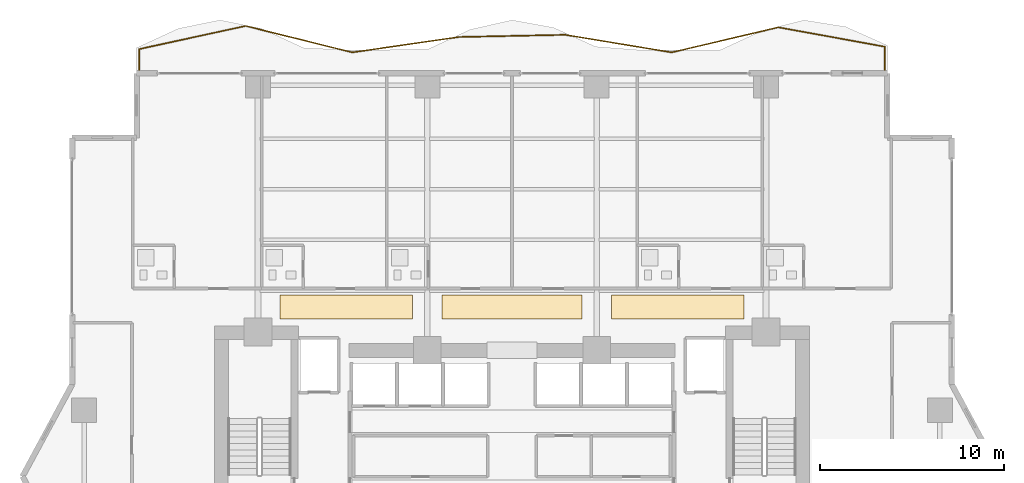
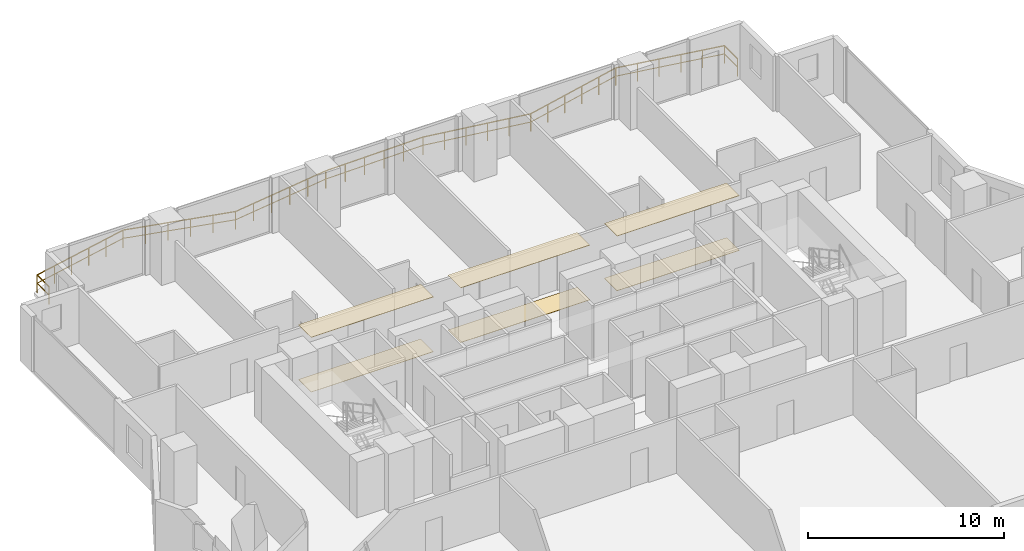
# One storey, part 29 of 30: 6 coverings, 1 railing.
"""IFC4 building model written with IfcOpenShell, lengths in metres."""

from ifc_helpers import new_model, si_unit, direction, frame, origin, origin_2d, place, context, subcontext, project, spatial, polyline, rectangle, outline, extrude, material, layer, layer_set, type_object, element, save


model = new_model("IFC4")

# Units and contexts
model_context = context("Model", 3, precision=1e-05, world=origin(), true_north=direction((0.0, 1.0)))
body_context = subcontext(model_context, "Body", "Model", "MODEL_VIEW")
ifc_project = project(units=[si_unit("LENGTHUNIT", "METRE"), si_unit("AREAUNIT", "SQUARE_METRE"), si_unit("VOLUMEUNIT", "CUBIC_METRE"), si_unit("PLANEANGLEUNIT", "RADIAN"), si_unit("MASSUNIT", "GRAM", prefix="KILO")], contexts=[model_context])

# Site, building, storey
site_placement = place(None, origin())
site = spatial("IfcSite", under=ifc_project, at=site_placement, CompositionType="ELEMENT")
building_placement = place(site_placement, origin())
building = spatial("IfcBuilding", under=site, at=building_placement, Name="Zuhayl Quay Hotel", CompositionType="ELEMENT")
storey_placement = place(building_placement, frame((0.0, 0.0, 135.800048828125)))
storey = spatial("IfcBuildingStorey", under=building, at=storey_placement, Name="L34", CompositionType="ELEMENT", Elevation=135.800048828125)

# Coverings
ifc_material_1 = material(Name="Acoustic Mineral-Fibre Gypsum Board")
ifc_layer_1 = layer(ifc_material_1, 0.02490234375, Name="Acoustic Mineral-Fibre Gypsum Board")
ifc_layer_set_1 = layer_set([ifc_layer_1], Name="Acoustic Mineral-Fibre Gypsum Board")
covering_type_1 = type_object("IfcCoveringType", Name="CV_CEIL_ACOUSTIC", PredefinedType="CEILING", material=ifc_layer_set_1)
covering_1_placement = place(storey_placement, frame((0.0, 0.0, 3.405029296875)))
element("IfcCovering", 1, at=covering_1_placement, inside=storey, type_object=covering_type_1, Name="L34 Guest Corridor Acoustic Ceiling CW", PredefinedType="CEILING", context=body_context, shape_type="SweptSolid", body=[
    extrude(outline(polyline([(-12.60009765625, 15.050048828125), (-5.39990234375, 15.050048828125), (-5.39990234375, 16.35009765625), (-12.60009765625, 16.35009765625), (-12.60009765625, 15.050048828125)])), origin(), (0.0, 0.0, 1.0), 0.02490234375),
])
covering_2_placement = place(storey_placement, frame((0.0, 0.0, 3.405029296875)))
element("IfcCovering", 2, at=covering_2_placement, inside=storey, type_object=covering_type_1, Name="L34 Guest Corridor Acoustic Ceiling CC", PredefinedType="CEILING", context=body_context, shape_type="SweptSolid", body=[
    extrude(outline(polyline([(-3.800048828125, 15.050048828125), (3.800048828125, 15.050048828125), (3.800048828125, 16.35009765625), (-3.800048828125, 16.35009765625), (-3.800048828125, 15.050048828125)])), origin(), (0.0, 0.0, 1.0), 0.02490234375),
])
covering_3_placement = place(storey_placement, frame((0.0, 0.0, 3.405029296875)))
element("IfcCovering", 3, at=covering_3_placement, inside=storey, type_object=covering_type_1, Name="L34 Guest Corridor Acoustic Ceiling CE", PredefinedType="CEILING", context=body_context, shape_type="SweptSolid", body=[
    extrude(outline(polyline([(5.39990234375, 15.050048828125), (12.60009765625, 15.050048828125), (12.60009765625, 16.35009765625), (5.39990234375, 16.35009765625), (5.39990234375, 15.050048828125)])), origin(), (0.0, 0.0, 1.0), 0.02490234375),
])
ifc_material_2 = material(Name="Polished Limestone Terrazzo", Category="masonry")
ifc_layer_2 = layer(ifc_material_2, 0.02001953125, Name="Polished Limestone Terrazzo", Category="masonry")
ifc_layer_set_2 = layer_set([ifc_layer_2], Name="Polished Limestone Terrazzo")
covering_type_2 = type_object("IfcCoveringType", Name="CV_FLOOR_TERRAZZO", PredefinedType="FLOORING", material=ifc_layer_set_2)
covering_4_placement = place(storey_placement, origin())
element("IfcCovering", 4, at=covering_4_placement, inside=storey, type_object=covering_type_2, Name="L34 Guest Corridor Terrazzo Runner CW", PredefinedType="FLOORING", context=body_context, shape_type="SweptSolid", body=[
    extrude(outline(polyline([(-12.60009765625, 15.050048828125), (-5.39990234375, 15.050048828125), (-5.39990234375, 16.35009765625), (-12.60009765625, 16.35009765625), (-12.60009765625, 15.050048828125)])), origin(), (0.0, 0.0, 1.0), 0.02001953125),
])
covering_5_placement = place(storey_placement, origin())
element("IfcCovering", 5, at=covering_5_placement, inside=storey, type_object=covering_type_2, Name="L34 Guest Corridor Terrazzo Runner CC", PredefinedType="FLOORING", context=body_context, shape_type="SweptSolid", body=[
    extrude(outline(polyline([(-3.800048828125, 15.050048828125), (3.800048828125, 15.050048828125), (3.800048828125, 16.35009765625), (-3.800048828125, 16.35009765625), (-3.800048828125, 15.050048828125)])), origin(), (0.0, 0.0, 1.0), 0.02001953125),
])
covering_6_placement = place(storey_placement, origin())
element("IfcCovering", 6, at=covering_6_placement, inside=storey, type_object=covering_type_2, Name="L34 Guest Corridor Terrazzo Runner CE", PredefinedType="FLOORING", context=body_context, shape_type="SweptSolid", body=[
    extrude(outline(polyline([(5.39990234375, 15.050048828125), (12.60009765625, 15.050048828125), (12.60009765625, 16.35009765625), (5.39990234375, 16.35009765625), (5.39990234375, 15.050048828125)])), origin(), (0.0, 0.0, 1.0), 0.02001953125),
])

# Railing
ifc_material_3 = material(Name="Anodised Aluminium and Laminated Glass", Category="aluminium")
railing_type = type_object("IfcRailingType", Name="RL_EXT_BAL_1100", PredefinedType="BALUSTRADE", material=ifc_material_3)
railing_placement = place(storey_placement, frame((-20.260009765625, 28.52001953125, 0.0)))
element("IfcRailing", 7, at=railing_placement, inside=storey, type_object=railing_type, Name="L34 Balcony and Terrace Guard GR_L34_BAL_N", PredefinedType="BALUSTRADE", context=body_context, shape_type="SweptSolid", body=[
    extrude(rectangle(XDim=0.048095703125, YDim=0.048095703125, at=origin_2d()), frame((0.0, 0.0, 1.09619140625), z_axis=(0.0, 1.0, 0.0), x_axis=(-1.0, 0.0, 0.0)), (0.0, 0.0, 1.0), 1.19775390625),
    extrude(rectangle(XDim=0.0361328125, YDim=0.0361328125, at=origin_2d()), frame((0.0, 0.0, 0.58251953125), z_axis=(0.0, 1.0, 0.0), x_axis=(-1.0, 0.0, 0.0)), (0.0, 0.0, 1.0), 1.19775390625),
    extrude(rectangle(XDim=0.048095703125, YDim=0.048095703125, at=origin_2d()), frame((0.0, 1.19775390625, 1.09619140625), z_axis=(0.977145109324, 0.212573364567, 0.0), x_axis=(-0.212573364567, 0.977145109324, 0.0)), (0.0, 0.0, 1.0), 5.924072265625),
    extrude(rectangle(XDim=0.0361328125, YDim=0.0361328125, at=origin_2d()), frame((0.0, 1.19775390625, 0.58251953125), z_axis=(0.977145109324, 0.212573364567, 0.0), x_axis=(-0.212573364567, 0.977145109324, 0.0)), (0.0, 0.0, 1.0), 5.924072265625),
    extrude(rectangle(XDim=0.048095703125, YDim=0.048095703125, at=origin_2d()), frame((5.78857421875, 2.45703125, 1.09619140625), z_axis=(0.970540889405, -0.240936468791, 0.0), x_axis=(0.240936468791, 0.970540889405, 0.0)), (0.0, 0.0, 1.0), 5.96435546875),
    extrude(rectangle(XDim=0.0361328125, YDim=0.0361328125, at=origin_2d()), frame((5.78857421875, 2.45703125, 0.58251953125), z_axis=(0.970540889405, -0.240936468791, 0.0), x_axis=(0.240936468791, 0.970540889405, 0.0)), (0.0, 0.0, 1.0), 5.96435546875),
    extrude(rectangle(XDim=0.048095703125, YDim=0.048095703125, at=origin_2d()), frame((11.5771484375, 1.02001953125, 1.09619140625), z_axis=(0.989738854419, 0.14288806827, 0.0), x_axis=(-0.14288806827, 0.989738854419, 0.0)), (0.0, 0.0, 1.0), 5.8486328125),
    extrude(rectangle(XDim=0.0361328125, YDim=0.0361328125, at=origin_2d()), frame((11.5771484375, 1.02001953125, 0.58251953125), z_axis=(0.989738854419, 0.14288806827, 0.0), x_axis=(-0.14288806827, 0.989738854419, 0.0)), (0.0, 0.0, 1.0), 5.8486328125),
    extrude(rectangle(XDim=0.048095703125, YDim=0.048095703125, at=origin_2d()), frame((17.36572265625, 1.855712890625, 1.09619140625), z_axis=(0.999789988727, 0.02049337556, 0.0), x_axis=(-0.02049337556, 0.999789988727, 0.0)), (0.0, 0.0, 1.0), 5.789794921875),
    extrude(rectangle(XDim=0.0361328125, YDim=0.0361328125, at=origin_2d()), frame((17.36572265625, 1.855712890625, 0.58251953125), z_axis=(0.999789988727, 0.02049337556, 0.0), x_axis=(-0.02049337556, 0.999789988727, 0.0)), (0.0, 0.0, 1.0), 5.789794921875),
    extrude(rectangle(XDim=0.048095703125, YDim=0.048095703125, at=origin_2d()), frame((23.154296875, 1.974365234375, 1.09619140625), z_axis=(0.986680338517, -0.162671170108, 0.0), x_axis=(0.162671170108, 0.986680338517, 0.0)), (0.0, 0.0, 1.0), 5.86669921875),
    extrude(rectangle(XDim=0.0361328125, YDim=0.0361328125, at=origin_2d()), frame((23.154296875, 1.974365234375, 0.58251953125), z_axis=(0.986680338517, -0.162671170108, 0.0), x_axis=(0.162671170108, 0.986680338517, 0.0)), (0.0, 0.0, 1.0), 5.86669921875),
    extrude(rectangle(XDim=0.048095703125, YDim=0.048095703125, at=origin_2d()), frame((28.94287109375, 1.02001953125, 1.09619140625), z_axis=(0.973378927893, 0.229201794788, 0.0), x_axis=(-0.229201794788, 0.973378927893, 0.0)), (0.0, 0.0, 1.0), 5.94677734375),
    extrude(rectangle(XDim=0.0361328125, YDim=0.0361328125, at=origin_2d()), frame((28.94287109375, 1.02001953125, 0.58251953125), z_axis=(0.973378927893, 0.229201794788, 0.0), x_axis=(-0.229201794788, 0.973378927893, 0.0)), (0.0, 0.0, 1.0), 5.94677734375),
    extrude(rectangle(XDim=0.048095703125, YDim=0.048095703125, at=origin_2d()), frame((34.7314453125, 2.383056640625, 1.09619140625), z_axis=(0.983788815759, -0.179330884087, 0.0), x_axis=(0.179330884087, 0.983788815759, 0.0)), (0.0, 0.0, 1.0), 5.884033203125),
    extrude(rectangle(XDim=0.0361328125, YDim=0.0361328125, at=origin_2d()), frame((34.7314453125, 2.383056640625, 0.58251953125), z_axis=(0.983788815759, -0.179330884087, 0.0), x_axis=(0.179330884087, 0.983788815759, 0.0)), (0.0, 0.0, 1.0), 5.884033203125),
    extrude(rectangle(XDim=0.048095703125, YDim=0.048095703125, at=origin_2d()), frame((40.52001953125, 1.327880859375, 1.09619140625), z_axis=(0.0, -1.0, 0.0), x_axis=(1.0, 0.0, 0.0)), (0.0, 0.0, 1.0), 1.327880859375),
    extrude(rectangle(XDim=0.0361328125, YDim=0.0361328125, at=origin_2d()), frame((40.52001953125, 1.327880859375, 0.58251953125), z_axis=(0.0, -1.0, 0.0), x_axis=(1.0, 0.0, 0.0)), (0.0, 0.0, 1.0), 1.327880859375),
    extrude(rectangle(XDim=0.0419921875, YDim=0.0419921875, at=origin_2d()), origin(), (0.0, 0.0, 1.0), 1.072021484375),
    extrude(rectangle(XDim=0.0419921875, YDim=0.0419921875, at=origin_2d()), frame((0.0, 1.19775390625, 0.0)), (0.0, 0.0, 1.0), 1.072021484375),
    extrude(rectangle(XDim=0.0419921875, YDim=0.0419921875, at=origin_2d()), frame((1.15771484375, 1.44970703125, 0.0)), (0.0, 0.0, 1.0), 1.072021484375),
    extrude(rectangle(XDim=0.0419921875, YDim=0.0419921875, at=origin_2d()), frame((2.3154296875, 1.701416015625, 0.0)), (0.0, 0.0, 1.0), 1.072021484375),
    extrude(rectangle(XDim=0.0419921875, YDim=0.0419921875, at=origin_2d()), frame((3.47314453125, 1.953369140625, 0.0)), (0.0, 0.0, 1.0), 1.072021484375),
    extrude(rectangle(XDim=0.0419921875, YDim=0.0419921875, at=origin_2d()), frame((4.630859375, 2.205078125, 0.0)), (0.0, 0.0, 1.0), 1.072021484375),
    extrude(rectangle(XDim=0.0419921875, YDim=0.0419921875, at=origin_2d()), frame((5.78857421875, 2.45703125, 0.0)), (0.0, 0.0, 1.0), 1.072021484375),
    extrude(rectangle(XDim=0.0419921875, YDim=0.0419921875, at=origin_2d()), frame((6.9462890625, 2.169677734375, 0.0)), (0.0, 0.0, 1.0), 1.072021484375),
    extrude(rectangle(XDim=0.0419921875, YDim=0.0419921875, at=origin_2d()), frame((8.10400390625, 1.88232421875, 0.0)), (0.0, 0.0, 1.0), 1.072021484375),
    extrude(rectangle(XDim=0.0419921875, YDim=0.0419921875, at=origin_2d()), frame((9.26171875, 1.5947265625, 0.0)), (0.0, 0.0, 1.0), 1.072021484375),
    extrude(rectangle(XDim=0.0419921875, YDim=0.0419921875, at=origin_2d()), frame((10.41943359375, 1.307373046875, 0.0)), (0.0, 0.0, 1.0), 1.072021484375),
    extrude(rectangle(XDim=0.0419921875, YDim=0.0419921875, at=origin_2d()), frame((11.5771484375, 1.02001953125, 0.0)), (0.0, 0.0, 1.0), 1.072021484375),
    extrude(rectangle(XDim=0.0419921875, YDim=0.0419921875, at=origin_2d()), frame((12.73486328125, 1.187255859375, 0.0)), (0.0, 0.0, 1.0), 1.072021484375),
    extrude(rectangle(XDim=0.0419921875, YDim=0.0419921875, at=origin_2d()), frame((13.892578125, 1.354248046875, 0.0)), (0.0, 0.0, 1.0), 1.072021484375),
    extrude(rectangle(XDim=0.0419921875, YDim=0.0419921875, at=origin_2d()), frame((15.05029296875, 1.521484375, 0.0)), (0.0, 0.0, 1.0), 1.072021484375),
    extrude(rectangle(XDim=0.0419921875, YDim=0.0419921875, at=origin_2d()), frame((16.2080078125, 1.6884765625, 0.0)), (0.0, 0.0, 1.0), 1.072021484375),
    extrude(rectangle(XDim=0.0419921875, YDim=0.0419921875, at=origin_2d()), frame((17.36572265625, 1.855712890625, 0.0)), (0.0, 0.0, 1.0), 1.072021484375),
    extrude(rectangle(XDim=0.0419921875, YDim=0.0419921875, at=origin_2d()), frame((18.5234375, 1.87939453125, 0.0)), (0.0, 0.0, 1.0), 1.072021484375),
    extrude(rectangle(XDim=0.0419921875, YDim=0.0419921875, at=origin_2d()), frame((19.68115234375, 1.903076171875, 0.0)), (0.0, 0.0, 1.0), 1.072021484375),
    extrude(rectangle(XDim=0.0419921875, YDim=0.0419921875, at=origin_2d()), frame((20.8388671875, 1.927001953125, 0.0)), (0.0, 0.0, 1.0), 1.072021484375),
    extrude(rectangle(XDim=0.0419921875, YDim=0.0419921875, at=origin_2d()), frame((21.99658203125, 1.95068359375, 0.0)), (0.0, 0.0, 1.0), 1.072021484375),
    extrude(rectangle(XDim=0.0419921875, YDim=0.0419921875, at=origin_2d()), frame((23.154296875, 1.974365234375, 0.0)), (0.0, 0.0, 1.0), 1.072021484375),
    extrude(rectangle(XDim=0.0419921875, YDim=0.0419921875, at=origin_2d()), frame((24.31201171875, 1.783447265625, 0.0)), (0.0, 0.0, 1.0), 1.072021484375),
    extrude(rectangle(XDim=0.0419921875, YDim=0.0419921875, at=origin_2d()), frame((25.4697265625, 1.592529296875, 0.0)), (0.0, 0.0, 1.0), 1.072021484375),
    extrude(rectangle(XDim=0.0419921875, YDim=0.0419921875, at=origin_2d()), frame((26.62744140625, 1.40185546875, 0.0)), (0.0, 0.0, 1.0), 1.072021484375),
    extrude(rectangle(XDim=0.0419921875, YDim=0.0419921875, at=origin_2d()), frame((27.78515625, 1.2109375, 0.0)), (0.0, 0.0, 1.0), 1.072021484375),
    extrude(rectangle(XDim=0.0419921875, YDim=0.0419921875, at=origin_2d()), frame((28.94287109375, 1.02001953125, 0.0)), (0.0, 0.0, 1.0), 1.072021484375),
    extrude(rectangle(XDim=0.0419921875, YDim=0.0419921875, at=origin_2d()), frame((30.1005859375, 1.292724609375, 0.0)), (0.0, 0.0, 1.0), 1.072021484375),
    extrude(rectangle(XDim=0.0419921875, YDim=0.0419921875, at=origin_2d()), frame((31.25830078125, 1.565185546875, 0.0)), (0.0, 0.0, 1.0), 1.072021484375),
    extrude(rectangle(XDim=0.0419921875, YDim=0.0419921875, at=origin_2d()), frame((32.416015625, 1.837890625, 0.0)), (0.0, 0.0, 1.0), 1.072021484375),
    extrude(rectangle(XDim=0.0419921875, YDim=0.0419921875, at=origin_2d()), frame((33.57373046875, 2.1103515625, 0.0)), (0.0, 0.0, 1.0), 1.072021484375),
    extrude(rectangle(XDim=0.0419921875, YDim=0.0419921875, at=origin_2d()), frame((34.7314453125, 2.383056640625, 0.0)), (0.0, 0.0, 1.0), 1.072021484375),
    extrude(rectangle(XDim=0.0419921875, YDim=0.0419921875, at=origin_2d()), frame((35.88916015625, 2.172119140625, 0.0)), (0.0, 0.0, 1.0), 1.072021484375),
    extrude(rectangle(XDim=0.0419921875, YDim=0.0419921875, at=origin_2d()), frame((37.046875, 1.9609375, 0.0)), (0.0, 0.0, 1.0), 1.072021484375),
    extrude(rectangle(XDim=0.0419921875, YDim=0.0419921875, at=origin_2d()), frame((38.20458984375, 1.75, 0.0)), (0.0, 0.0, 1.0), 1.072021484375),
    extrude(rectangle(XDim=0.0419921875, YDim=0.0419921875, at=origin_2d()), frame((39.3623046875, 1.538818359375, 0.0)), (0.0, 0.0, 1.0), 1.072021484375),
    extrude(rectangle(XDim=0.0419921875, YDim=0.0419921875, at=origin_2d()), frame((40.52001953125, 1.327880859375, 0.0)), (0.0, 0.0, 1.0), 1.072021484375),
    extrude(rectangle(XDim=0.0419921875, YDim=0.0419921875, at=origin_2d()), frame((40.52001953125, 0.0, 0.0)), (0.0, 0.0, 1.0), 1.072021484375),
])

save(model, "model.ifc")
